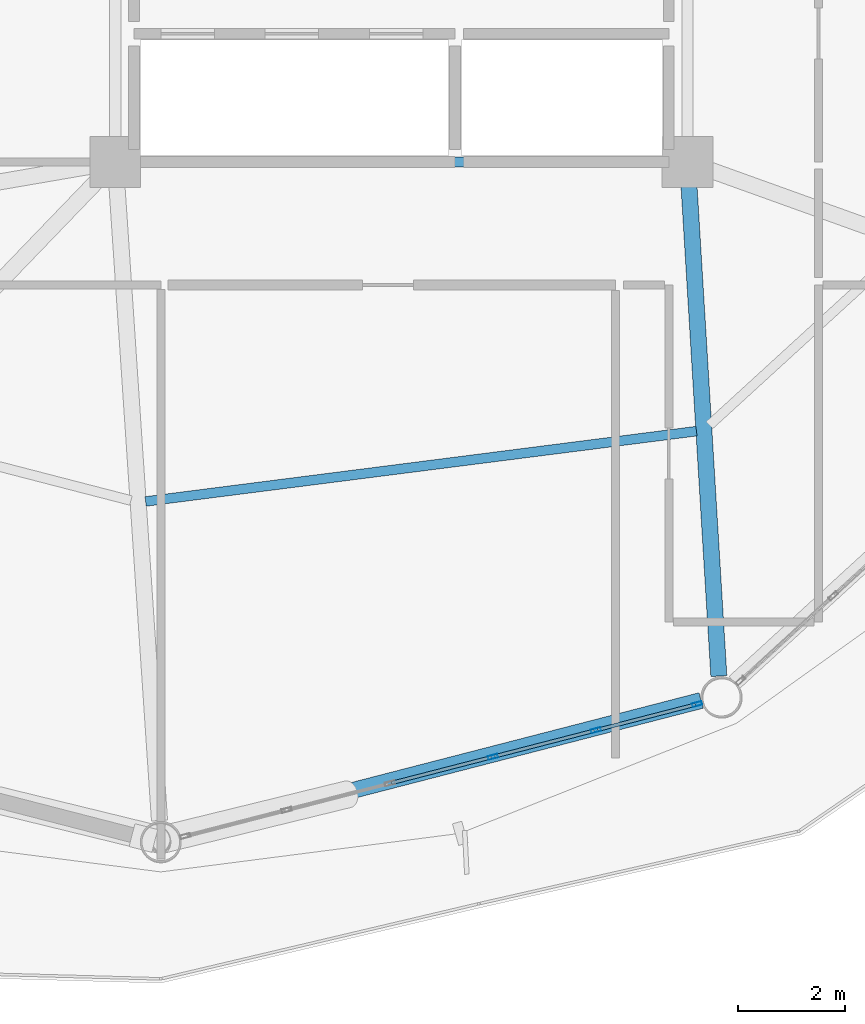
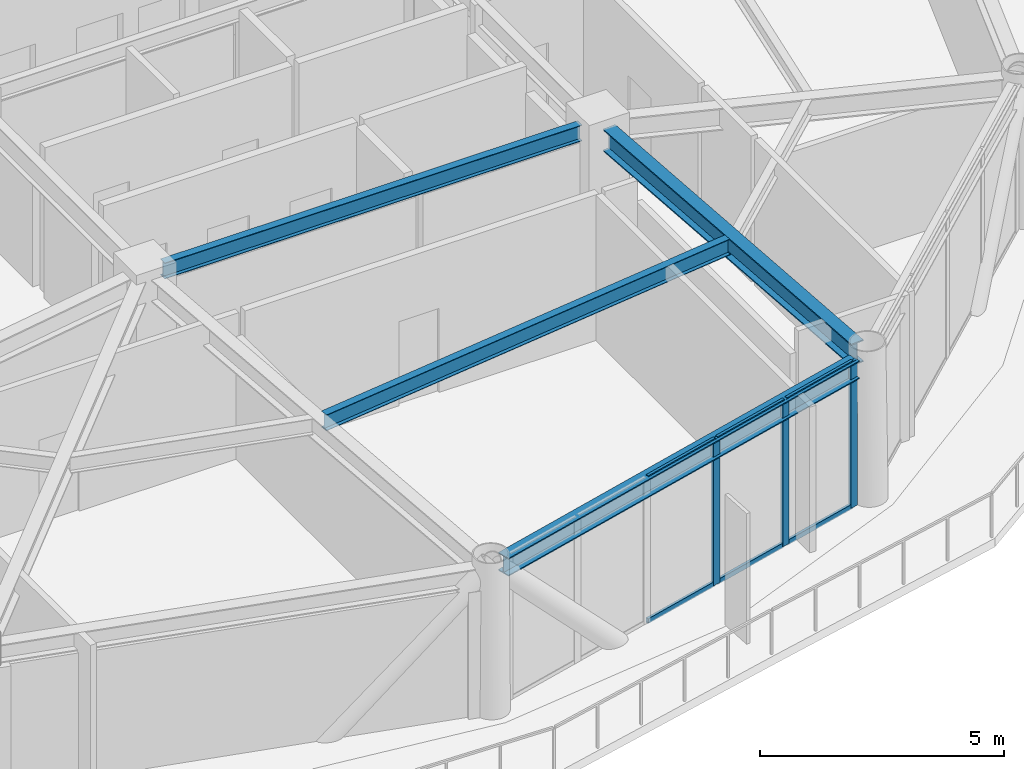
# One storey, part 7 of 23: 9 members, 4 beams, 1 element without a shape of its own.
"""IFC4 building model written with IfcOpenShell, lengths in metres."""

from ifc_helpers import new_model, si_unit, direction, frame, origin, origin_2d, place, context, subcontext, project, spatial, hollow_rectangle, i_section, extrude, material, layer, layer_set, material_profile, profile_set, type_object, element, aggregate, save


model = new_model("IFC4")

# Units and contexts
model_context = context("Model", 3, precision=1e-05, world=origin(), true_north=direction((0.0, 1.0)))
body_context = subcontext(model_context, "Body", "Model", "MODEL_VIEW")
ifc_project = project(units=[si_unit("LENGTHUNIT", "METRE"), si_unit("AREAUNIT", "SQUARE_METRE"), si_unit("VOLUMEUNIT", "CUBIC_METRE"), si_unit("PLANEANGLEUNIT", "RADIAN"), si_unit("MASSUNIT", "GRAM", prefix="KILO")], contexts=[model_context])

# Site, building, storey
site_placement = place(None, origin())
site = spatial("IfcSite", under=ifc_project, at=site_placement, CompositionType="ELEMENT")
building_placement = place(site_placement, origin())
building = spatial("IfcBuilding", under=site, at=building_placement, Name="Varnakorn Sky Granary", CompositionType="ELEMENT")
storey_placement = place(building_placement, frame((0.0, 0.0, 130.5)))
storey = spatial("IfcBuildingStorey", under=building, at=storey_placement, Name="L32", CompositionType="ELEMENT", Elevation=130.5)

# Beams
ifc_material_1 = material(Name="Steel S355JR", Category="steel")
ifc_material_profile_1 = material_profile(ifc_material_1, i_section(OverallWidth=0.300048828125, OverallDepth=0.550048828125, WebThickness=0.014892578125, FlangeThickness=0.029052734375, at=origin_2d()), Name="HE 550 B")
ifc_profile_set_1 = profile_set([ifc_material_profile_1], Name="Steel S355JR")
beam_type_1 = type_object("IfcBeamType", Name="BM-RAD-Z3", PredefinedType="BEAM", material=ifc_profile_set_1)
beam_1_placement = place(storey_placement, frame((8.37548828125, -7.019287109375, 3.364990234375), z_axis=(0.0607727274, -0.998151629566, 0.0), x_axis=(0.998151629566, 0.0607727274, 0.0)))
element("IfcBeam", 1, at=beam_1_placement, inside=storey, type_object=beam_type_1, Name="Radial Floor Girder RG11 L32", PredefinedType="BEAM", context=body_context, shape_type="SweptSolid", body=[
    extrude(i_section(OverallWidth=0.300048828125, OverallDepth=0.550048828125, WebThickness=0.014892578125, FlangeThickness=0.029052734375, at=origin_2d()), origin(), (0.0, 0.0, 1.0), 9.211669921875),
])
ifc_material_profile_2 = material_profile(ifc_material_1, i_section(OverallWidth=0.179931640625, OverallDepth=0.39990234375, WebThickness=0.008544921875, FlangeThickness=0.013427734375, at=origin_2d()), Name="IPE 400")
ifc_profile_set_2 = profile_set([ifc_material_profile_2], Name="Steel S355JR")
beam_type_2 = type_object("IfcBeamType", Name="BM-SEC-Z3", PredefinedType="BEAM", material=ifc_profile_set_2)
beam_2_placement = place(storey_placement, frame((-1.7841796875, -12.94873046875, 3.43994140625), z_axis=(0.991956313059, 0.126580697514, 0.0), x_axis=(-0.126580697514, 0.991956313059, 0.0)))
element("IfcBeam", 2, at=beam_2_placement, inside=storey, type_object=beam_type_2, Name="Secondary Floor Chord Beam MSB10 L32", PredefinedType="BEAM", context=body_context, shape_type="SweptSolid", body=[
    extrude(i_section(OverallWidth=0.179931640625, OverallDepth=0.39990234375, WebThickness=0.008544921875, FlangeThickness=0.013427734375, at=origin_2d()), origin(), (0.0, 0.0, 1.0), 10.38427734375),
])
beam_3_placement = place(storey_placement, frame((-1.929931640625, -6.60009765625, 3.43994140625), z_axis=(1.0, 0.0, 0.0), x_axis=(0.0, 1.0, 0.0)))
element("IfcBeam", 3, at=beam_3_placement, inside=storey, type_object=beam_type_2, Name="Core Spine Framing Beam 6 L32", PredefinedType="BEAM", context=body_context, shape_type="SweptSolid", body=[
    extrude(i_section(OverallWidth=0.179931640625, OverallDepth=0.39990234375, WebThickness=0.008544921875, FlangeThickness=0.013427734375, at=origin_2d()), origin(), (0.0, 0.0, 1.0), 9.85986328125),
])
ifc_material_profile_3 = material_profile(ifc_material_1, i_section(OverallWidth=0.300048828125, OverallDepth=0.449951171875, WebThickness=0.013916015625, FlangeThickness=0.02587890625, at=origin_2d()), Name="HE 450 B")
ifc_profile_set_3 = profile_set([ifc_material_profile_3], Name="Steel S355JR")
beam_type_3 = type_object("IfcBeamType", Name="BM-SPD-Z3", PredefinedType="SPANDREL", material=ifc_profile_set_3)
beam_4_placement = place(storey_placement, frame((-1.1455078125, -19.1875, 3.4150390625), z_axis=(0.96825101145, 0.24997995685, 0.0), x_axis=(-0.24997995685, 0.96825101145, 0.0)))
element("IfcBeam", 4, at=beam_4_placement, inside=storey, type_object=beam_type_3, Name="Perimeter Spandrel Ring Beam RB10 L32", PredefinedType="SPANDREL", context=body_context, shape_type="SweptSolid", body=[
    extrude(i_section(OverallWidth=0.300048828125, OverallDepth=0.449951171875, WebThickness=0.013916015625, FlangeThickness=0.02587890625, at=origin_2d()), origin(), (0.0, 0.0, 1.0), 10.068115234375),
])

# Curtain wall, members
ifc_material_2 = material(Name="Anodised Bronze Aluminium Alloy 6063-T6", Category="aluminium")
ifc_layer = layer(ifc_material_2, 0.179931640625, Name="Anodised Bronze Aluminium Alloy 6063-T6")
ifc_layer_set = layer_set([ifc_layer], Name="Anodised Bronze Aluminium Alloy 6063-T6")
curtain_wall_type = type_object("IfcCurtainWallType", Name="CW-FRM-2", PredefinedType="USERDEFINED", material=ifc_layer_set)
curtain_wall_placement = place(storey_placement, origin())
curtain_wall = element("IfcCurtainWall", 5, at=curtain_wall_placement, inside=storey, type_object=curtain_wall_type, Name="Unitised Curtain Wall CW4 CW-L32-B10", ObjectType="CURTAIN WALL", PredefinedType="USERDEFINED")
ifc_material_profile_4 = material_profile(ifc_material_2, hollow_rectangle(XDim=0.070068359375, YDim=0.18505859375, WallThickness=0.00390625, at=origin_2d()), Name="ALU MULL 70x185")
ifc_profile_set_4 = profile_set([ifc_material_profile_4], Name="Anodised Bronze Aluminium Alloy 6063-T6")
member_type_1 = type_object("IfcMemberType", Name="CW-FRM-2-MULL", PredefinedType="MULLION", material=ifc_profile_set_4)
member_1_placement = place(storey_placement, frame((8.530029296875, -16.73876953125, 0.0), z_axis=(0.0, 0.0, 1.0), x_axis=(0.249777432172, -0.968303276034, 0.0)))
member_1 = element("IfcMember", 6, at=member_1_placement, type_object=member_type_1, Name="CW4 mullion 1", PredefinedType="MULLION", context=body_context, shape_type="SweptSolid", body=[
    extrude(hollow_rectangle(XDim=0.070068359375, YDim=0.18505859375, WallThickness=0.00390625, at=origin_2d()), origin(), (0.0, 0.0, 1.0), 3.639892578125),
])
member_2_placement = place(storey_placement, frame((6.63671875, -17.227294921875, 0.0), z_axis=(0.0, 0.0, 1.0), x_axis=(0.249777432172, -0.968303276034, 0.0)))
member_2 = element("IfcMember", 7, at=member_2_placement, type_object=member_type_1, Name="CW4 mullion 2", PredefinedType="MULLION", context=body_context, shape_type="SweptSolid", body=[
    extrude(hollow_rectangle(XDim=0.070068359375, YDim=0.18505859375, WallThickness=0.00390625, at=origin_2d()), origin(), (0.0, 0.0, 1.0), 3.639892578125),
])
member_3_placement = place(storey_placement, frame((4.709228515625, -17.724365234375, 0.0), z_axis=(0.0, 0.0, 1.0), x_axis=(0.249777432172, -0.968303276034, 0.0)))
member_3 = element("IfcMember", 8, at=member_3_placement, type_object=member_type_1, Name="CW4 mullion 3", PredefinedType="MULLION", context=body_context, shape_type="SweptSolid", body=[
    extrude(hollow_rectangle(XDim=0.070068359375, YDim=0.18505859375, WallThickness=0.00390625, at=origin_2d()), origin(), (0.0, 0.0, 1.0), 3.639892578125),
])
ifc_material_profile_5 = material_profile(ifc_material_2, hollow_rectangle(XDim=0.06494140625, YDim=0.1201171875, WallThickness=0.00341796875, at=origin_2d()), Name="ALU TRAN 65x120")
ifc_profile_set_5 = profile_set([ifc_material_profile_5], Name="Anodised Bronze Aluminium Alloy 6063-T6")
member_type_2 = type_object("IfcMemberType", Name="CW-FRM-2-TRAN", PredefinedType="USERDEFINED", material=ifc_profile_set_5)
member_4_placement = place(storey_placement, frame((8.496337890625, -16.74755859375, 0.032470703125), z_axis=(-0.968310661663, -0.249748798816, 0.0), x_axis=(0.249748798816, -0.968310661663, 0.0)))
member_4 = element("IfcMember", 9, at=member_4_placement, type_object=member_type_2, Name="CW4 transom 1.1", ObjectType="TRANSOM", PredefinedType="USERDEFINED", context=body_context, shape_type="SweptSolid", body=[
    extrude(hollow_rectangle(XDim=0.06494140625, YDim=0.1201171875, WallThickness=0.00341796875, at=origin_2d()), origin(), (0.0, 0.0, 1.0), 1.8857421875),
])
member_5_placement = place(storey_placement, frame((8.496337890625, -16.74755859375, 3.607421875), z_axis=(-0.968310661663, -0.249748798816, 0.0), x_axis=(0.249748798816, -0.968310661663, 0.0)))
member_5 = element("IfcMember", 10, at=member_5_placement, type_object=member_type_2, Name="CW4 transom 1.2", ObjectType="TRANSOM", PredefinedType="USERDEFINED", context=body_context, shape_type="SweptSolid", body=[
    extrude(hollow_rectangle(XDim=0.06494140625, YDim=0.1201171875, WallThickness=0.00341796875, at=origin_2d()), origin(), (0.0, 0.0, 1.0), 1.8857421875),
])
member_6_placement = place(storey_placement, frame((6.602783203125, -17.23583984375, 0.032470703125), z_axis=(-0.968298156162, -0.249797279356, 0.0), x_axis=(0.249797279356, -0.968298156162, 0.0)))
member_6 = element("IfcMember", 11, at=member_6_placement, type_object=member_type_2, Name="CW4 transom 2.1", ObjectType="TRANSOM", PredefinedType="USERDEFINED", context=body_context, shape_type="SweptSolid", body=[
    extrude(hollow_rectangle(XDim=0.06494140625, YDim=0.1201171875, WallThickness=0.00341796875, at=origin_2d()), origin(), (0.0, 0.0, 1.0), 1.92041015625),
])
member_7_placement = place(storey_placement, frame((6.602783203125, -17.23583984375, 3.607421875), z_axis=(-0.968298156162, -0.249797279356, 0.0), x_axis=(0.249797279356, -0.968298156162, 0.0)))
member_7 = element("IfcMember", 12, at=member_7_placement, type_object=member_type_2, Name="CW4 transom 2.2", ObjectType="TRANSOM", PredefinedType="USERDEFINED", context=body_context, shape_type="SweptSolid", body=[
    extrude(hollow_rectangle(XDim=0.06494140625, YDim=0.1201171875, WallThickness=0.00341796875, at=origin_2d()), origin(), (0.0, 0.0, 1.0), 1.92041015625),
])
member_8_placement = place(storey_placement, frame((4.67529296875, -17.733154296875, 0.032470703125), z_axis=(-0.968298156162, -0.249797279356, 0.0), x_axis=(0.249797279356, -0.968298156162, 0.0)))
member_8 = element("IfcMember", 13, at=member_8_placement, type_object=member_type_2, Name="CW4 transom 3.1", ObjectType="TRANSOM", PredefinedType="USERDEFINED", context=body_context, shape_type="SweptSolid", body=[
    extrude(hollow_rectangle(XDim=0.06494140625, YDim=0.1201171875, WallThickness=0.00341796875, at=origin_2d()), origin(), (0.0, 0.0, 1.0), 1.92041015625),
])
member_9_placement = place(storey_placement, frame((4.67529296875, -17.733154296875, 3.607421875), z_axis=(-0.968298156162, -0.249797279356, 0.0), x_axis=(0.249797279356, -0.968298156162, 0.0)))
member_9 = element("IfcMember", 14, at=member_9_placement, type_object=member_type_2, Name="CW4 transom 3.2", ObjectType="TRANSOM", PredefinedType="USERDEFINED", context=body_context, shape_type="SweptSolid", body=[
    extrude(hollow_rectangle(XDim=0.06494140625, YDim=0.1201171875, WallThickness=0.00341796875, at=origin_2d()), origin(), (0.0, 0.0, 1.0), 1.92041015625),
])
aggregate(curtain_wall, [member_1, member_2, member_3, member_4, member_5, member_6, member_7, member_8, member_9])

save(model, "model.ifc")
